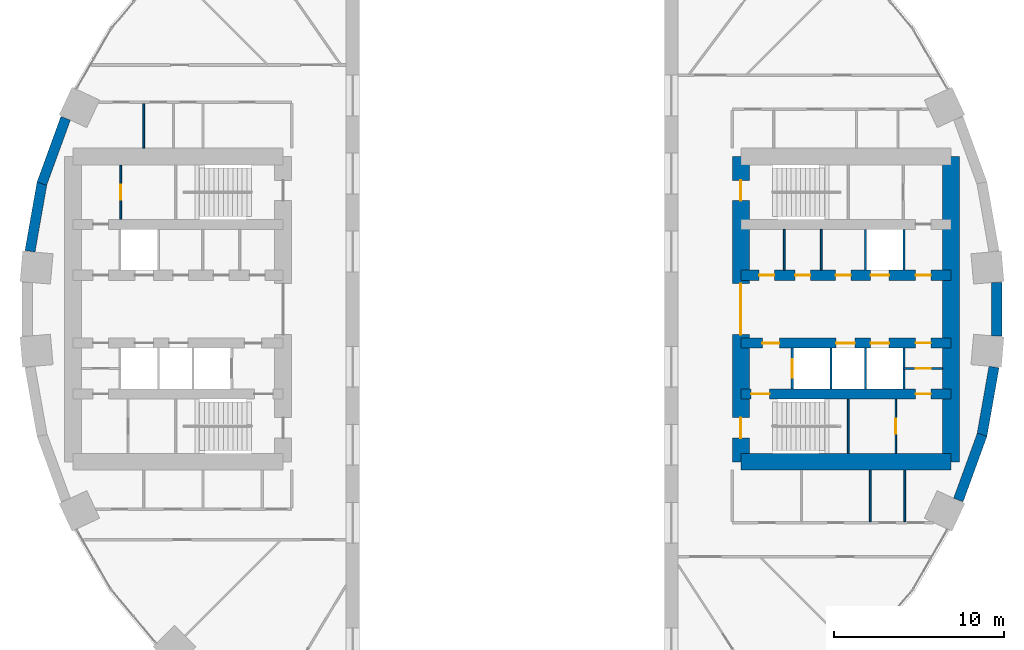
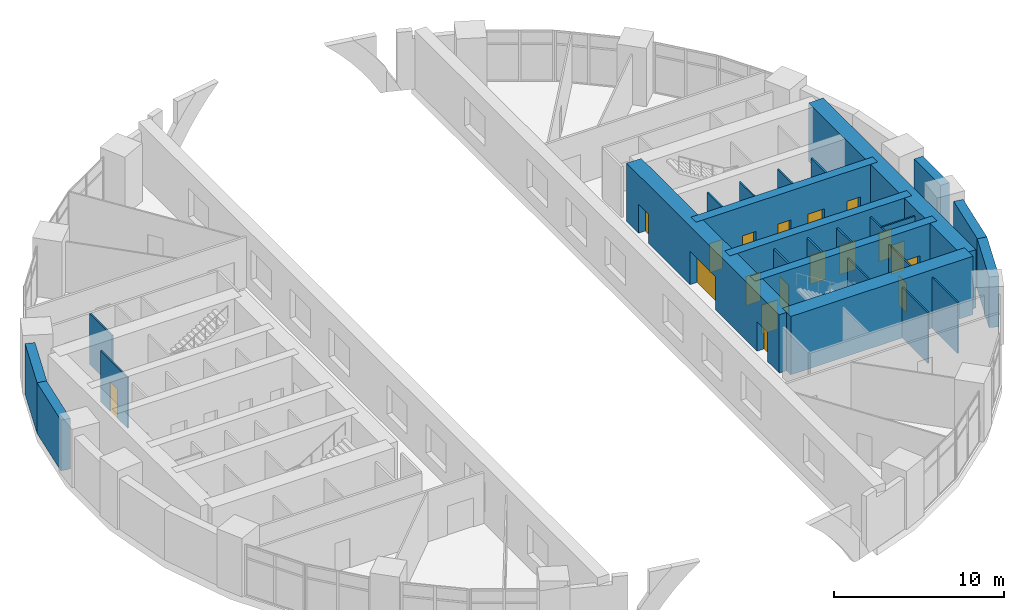
# One storey, part 10 of 13: 26 walls, 18 doors, 18 openings.
"""IFC4 building model written with IfcOpenShell, lengths in metres."""

from ifc_helpers import new_model, si_unit, direction, frame, frame_2d, origin, place, context, subcontext, project, spatial, rectangle, extrude, material, layer, layer_set, type_object, element, fill, save


model = new_model("IFC4")

# Units and contexts
model_context = context("Model", 3, precision=1e-05, world=origin(), true_north=direction((0.0, 1.0)))
body_context = subcontext(model_context, "Body", "Model", "MODEL_VIEW")
ifc_project = project(units=[si_unit("LENGTHUNIT", "METRE"), si_unit("AREAUNIT", "SQUARE_METRE"), si_unit("VOLUMEUNIT", "CUBIC_METRE"), si_unit("PLANEANGLEUNIT", "RADIAN"), si_unit("MASSUNIT", "GRAM", prefix="KILO")], contexts=[model_context])

# Site, building, storey
site_placement = place(None, origin())
site = spatial("IfcSite", under=ifc_project, at=site_placement, CompositionType="ELEMENT")
building_placement = place(site_placement, origin())
building = spatial("IfcBuilding", under=site, at=building_placement, Name="Saqina Gate Tower", CompositionType="ELEMENT")
storey_placement = place(building_placement, frame((0.0, 0.0, 13.39990234375)))
storey = spatial("IfcBuildingStorey", under=building, at=storey_placement, Name="L03", CompositionType="ELEMENT", Elevation=13.39990234375)

# Walls
ifc_material_1 = material(Name="Gypsum board on steel studs", Category="steel")
ifc_layer_1 = layer(ifc_material_1, 0.10009765625)
ifc_layer_set_1 = layer_set([ifc_layer_1], Name="CORE PARTITION")
wall_type_1 = type_object("IfcWallType", Name="CORE PARTITION", PredefinedType="PARTITIONING", material=ifc_layer_set_1)
for number, where, z_axis, x_axis, name in (
    (1, (16.052001953125, 2.300048828125, 0.0), (0.0, 0.0, 1.0), (0.0, 1.0, 0.0), "L03-CP-E01"),
    (2, (18.24072265625, 2.300048828125, 0.0), (0.0, 0.0, 1.0), (0.0, 1.0, 0.0), "L03-CP-E02"),
):
    element("IfcWall", number, at=place(storey_placement, frame(where, z_axis=z_axis, x_axis=x_axis)), inside=storey, type_object=wall_type_1, Name=name, PredefinedType="PARTITIONING", context=body_context, shape_type="SweptSolid", body=[
        extrude(rectangle(XDim=2.39990234375, YDim=0.10009765625, at=frame_2d((1.199951171875, 0.0))), origin(), (0.0, 0.0, 1.0), 3.650146484375),
    ])

# Wall, opening, door
wall_1_placement = place(storey_placement, frame((23.1201171875, -3.5, 0.0), z_axis=(0.0, 0.0, 1.0), x_axis=(1.0, 0.0, 0.0)))
wall_1 = element("IfcWall", 3, at=wall_1_placement, inside=storey, type_object=wall_type_1, Name="L03-CP-E09", PredefinedType="PARTITIONING", context=body_context, shape_type="SweptSolid", body=[
    extrude(rectangle(XDim=2.27978515625, YDim=0.10009765625, at=frame_2d((1.139892578125, 0.0))), origin(), (0.0, 0.0, 1.0), 3.650146484375),
])
opening_1_placement = place(wall_1_placement, frame((0.68994140625, 0.0, 0.0)))
opening_1 = element("IfcOpeningElement", 4, at=opening_1_placement, cuts=wall_1, Name="Opening L03-D98", PredefinedType="OPENING", context=body_context, shape_type="SweptSolid", body=[
    extrude(rectangle(XDim=0.89990234375, YDim=2.10009765625, at=frame_2d((0.449951171875, 1.050048828125))), frame((0.0, 0.06201171875, 0.0), z_axis=(0.0, -1.0, 0.0), x_axis=(1.0, 0.0, 0.0)), (0.0, 0.0, 1.0), 0.1240234375),
])
ifc_material_2 = material(Name="Steel-framed fire door leaf, EI 60", Category="steel")
door_type_1 = type_object("IfcDoorType", Name="SERVICE ROOM DOOR 900", OperationType="SINGLE_SWING_LEFT", PredefinedType="DOOR", material=ifc_material_2)
door_1_placement = place(opening_1_placement, frame((0.89990234375, 0.0, 0.0), z_axis=(0.0, 0.0, 1.0), x_axis=(-1.0, 0.0, 0.0)))
door_1 = element("IfcDoor", 5, at=door_1_placement, inside=storey, type_object=door_type_1, Name="L03-CD-E09", OperationType="SINGLE_SWING_LEFT", OverallHeight=2.10009765625, OverallWidth=0.89990234375, PredefinedType="DOOR", context=body_context, shape_type="SweptSolid", body=[
    extrude(rectangle(XDim=0.89990234375, YDim=2.10009765625, at=frame_2d((0.449951171875, 1.050048828125))), frame((0.0, 0.02490234375, 0.0), z_axis=(0.0, -1.0, 0.0), x_axis=(1.0, 0.0, 0.0)), (0.0, 0.0, 1.0), 0.050048828125),
])
fill(opening_1, door_1)

wall_2_placement = place(storey_placement, frame((22.639892578125, -8.5, 0.0), z_axis=(0.0, 0.0, 1.0), x_axis=(0.0, 1.0, 0.0)))
wall_2 = element("IfcWall", 6, at=wall_2_placement, inside=storey, type_object=wall_type_1, Name="L03-CP-E13", PredefinedType="PARTITIONING", context=body_context, shape_type="SweptSolid", body=[
    extrude(rectangle(XDim=3.199951171875, YDim=0.10009765625, at=frame_2d((1.60009765625, 0.0))), origin(), (0.0, 0.0, 1.0), 3.650146484375),
])
opening_2_placement = place(wall_2_placement, frame((1.14990234375, 0.0, 0.0)))
opening_2 = element("IfcOpeningElement", 7, at=opening_2_placement, cuts=wall_2, Name="Opening L03-D99", PredefinedType="OPENING", context=body_context, shape_type="SweptSolid", body=[
    extrude(rectangle(XDim=0.89990234375, YDim=2.10009765625, at=frame_2d((0.449951171875, 1.050048828125))), frame((0.0, 0.06201171875, 0.0), z_axis=(0.0, -1.0, 0.0), x_axis=(1.0, 0.0, 0.0)), (0.0, 0.0, 1.0), 0.1240234375),
])
door_2_placement = place(opening_2_placement, origin())
door_2 = element("IfcDoor", 8, at=door_2_placement, inside=storey, type_object=door_type_1, Name="L03-CD-E10", OperationType="SINGLE_SWING_LEFT", OverallHeight=2.10009765625, OverallWidth=0.89990234375, PredefinedType="DOOR", context=body_context, shape_type="SweptSolid", body=[
    extrude(rectangle(XDim=0.89990234375, YDim=2.10009765625, at=frame_2d((0.449951171875, 1.050048828125))), frame((0.0, 0.02490234375, 0.0), z_axis=(0.0, -1.0, 0.0), x_axis=(1.0, 0.0, 0.0)), (0.0, 0.0, 1.0), 0.050048828125),
])
fill(opening_2, door_2)

wall_3_placement = place(storey_placement, frame((-23.08154296875, 5.300048828125, 0.0), z_axis=(0.0, 0.0, 1.0), x_axis=(0.0, 1.0, 0.0)))
wall_3 = element("IfcWall", 9, at=wall_3_placement, inside=storey, type_object=wall_type_1, Name="L03-CP-W11", PredefinedType="PARTITIONING", context=body_context, shape_type="SweptSolid", body=[
    extrude(rectangle(XDim=3.199951171875, YDim=0.10009765625, at=frame_2d((1.60009765625, 0.0))), origin(), (0.0, 0.0, 1.0), 3.650146484375),
])
opening_3_placement = place(wall_3_placement, frame((1.14990234375, 0.0, 0.0)))
opening_3 = element("IfcOpeningElement", 10, at=opening_3_placement, cuts=wall_3, Name="Opening L03-D111", PredefinedType="OPENING", context=body_context, shape_type="SweptSolid", body=[
    extrude(rectangle(XDim=0.89990234375, YDim=2.10009765625, at=frame_2d((0.449951171875, 1.050048828125))), frame((0.0, 0.06201171875, 0.0), z_axis=(0.0, -1.0, 0.0), x_axis=(1.0, 0.0, 0.0)), (0.0, 0.0, 1.0), 0.1240234375),
])
door_3_placement = place(opening_3_placement, frame((0.89990234375, 0.0, 0.0), z_axis=(0.0, 0.0, 1.0), x_axis=(-1.0, 0.0, 0.0)))
door_3 = element("IfcDoor", 11, at=door_3_placement, inside=storey, type_object=door_type_1, Name="L03-CD-W22", OperationType="SINGLE_SWING_RIGHT", OverallHeight=2.10009765625, OverallWidth=0.89990234375, PredefinedType="DOOR", context=body_context, shape_type="SweptSolid", body=[
    extrude(rectangle(XDim=0.89990234375, YDim=2.10009765625, at=frame_2d((0.449951171875, 1.050048828125))), frame((0.0, 0.02490234375, 0.0), z_axis=(0.0, -1.0, 0.0), x_axis=(1.0, 0.0, 0.0)), (0.0, 0.0, 1.0), 0.050048828125),
])
fill(opening_3, door_3)

# Walls
ifc_material_3 = material(Name="Glazed ceramic tile", Category="ceramic")
ifc_layer_2 = layer(ifc_material_3, 0.60009765625)
ifc_layer_set_2 = layer_set([ifc_layer_2], Name="FW-TILE")
wall_type_2 = type_object("IfcWallType", Name="FW-TILE", PredefinedType="SOLIDWALL", material=ifc_layer_set_2)
for number, where, z_axis, x_axis, name in (
    (12, (-26.327880859375, 11.255126953125, 0.0), (0.0, 0.0, 1.0), (-0.342034744565, -0.939687306241, 0.0), "Facade wall L03 facet 16"),
    (13, (26.327880859375, -11.255126953125, 0.0), (0.0, 0.0, 1.0), (0.342034744565, 0.939687306241, 0.0), "Facade wall L03 facet 34"),
):
    element("IfcWall", number, at=place(storey_placement, frame(where, z_axis=z_axis, x_axis=x_axis)), inside=storey, type_object=wall_type_2, Name=name, PredefinedType="SOLIDWALL", context=body_context, shape_type="SweptSolid", body=[
        extrude(rectangle(XDim=4.099365234375, YDim=0.60009765625, at=frame_2d((2.0498046875, 0.0))), origin(), (0.0, 0.0, 1.0), 3.650146484375),
    ])
wall_4_placement = place(storey_placement, frame((28.589599609375, -1.571533203125, 0.0), z_axis=(0.0, 0.0, 1.0), x_axis=(0.0, 1.0, 0.0)))
element("IfcWall", 14, at=wall_4_placement, inside=storey, type_object=wall_type_2, Name="Facade wall L03 facet 36", PredefinedType="SOLIDWALL", context=body_context, shape_type="SweptSolid", body=[
    extrude(rectangle(XDim=3.14306640625, YDim=0.60009765625, at=frame_2d((1.571533203125, 0.0))), origin(), (0.0, 0.0, 1.0), 3.650146484375),
])
ifc_material_4 = material(Name="Glazed ceramic tile (dark blue)", Category="ceramic")
ifc_layer_3 = layer(ifc_material_4, 0.60009765625)
ifc_layer_set_3 = layer_set([ifc_layer_3], Name="FW-TILE-CB")
wall_type_3 = type_object("IfcWallType", Name="FW-TILE-CB", PredefinedType="SOLIDWALL", material=ifc_layer_set_3)
wall_5_placement = place(storey_placement, frame((27.71630859375, -7.45361328125, 0.0), z_axis=(0.0, 0.0, 1.0), x_axis=(0.173673210505, 0.984803338719, 0.0)))
element("IfcWall", 15, at=wall_5_placement, inside=storey, type_object=wall_type_3, Name="Facade wall L03 facet 35", PredefinedType="SOLIDWALL", context=body_context, shape_type="SweptSolid", body=[
    extrude(rectangle(XDim=4.09912109375, YDim=0.60009765625, at=frame_2d((2.049560546875, 0.0))), origin(), (0.0, 0.0, 1.0), 3.650146484375),
])
ifc_material_5 = material(Name="Glazed ceramic tile (white)", Category="ceramic")
ifc_layer_4 = layer(ifc_material_5, 0.60009765625)
ifc_layer_set_4 = layer_set([ifc_layer_4], Name="FW-TILE-WH")
wall_type_4 = type_object("IfcWallType", Name="FW-TILE-WH", PredefinedType="SOLIDWALL", material=ifc_layer_set_4)
wall_6_placement = place(storey_placement, frame((-27.71630859375, 7.45361328125, 0.0), z_axis=(0.0, 0.0, 1.0), x_axis=(-0.173673210505, -0.984803338719, 0.0)))
element("IfcWall", 16, at=wall_6_placement, inside=storey, type_object=wall_type_4, Name="Facade wall L03 facet 17", PredefinedType="SOLIDWALL", context=body_context, shape_type="SweptSolid", body=[
    extrude(rectangle(XDim=4.09912109375, YDim=0.60009765625, at=frame_2d((2.049560546875, 0.0))), origin(), (0.0, 0.0, 1.0), 3.650146484375),
])
ifc_material_6 = material(Name="Autoclaved aerated concrete block", Category="concrete")
ifc_layer_5 = layer(ifc_material_6, 0.1201171875)
ifc_layer_set_5 = layer_set([ifc_layer_5], Name="SHAFT PARTITION")
wall_type_5 = type_object("IfcWallType", Name="SHAFT PARTITION", PredefinedType="PARTITIONING", material=ifc_layer_set_5)
for number, where, z_axis, x_axis, name in (
    (17, (20.840087890625, 2.300048828125, 0.0), (0.0, 0.0, 1.0), (0.0, 1.0, 0.0), "L03-CP-E03"),
    (18, (23.1201171875, 2.300048828125, 0.0), (0.0, 0.0, 1.0), (0.0, 1.0, 0.0), "L03-CP-E04"),
):
    element("IfcWall", number, at=place(storey_placement, frame(where, z_axis=z_axis, x_axis=x_axis)), inside=storey, type_object=wall_type_5, Name=name, PredefinedType="PARTITIONING", context=body_context, shape_type="SweptSolid", body=[
        extrude(rectangle(XDim=2.39990234375, YDim=0.1201171875, at=frame_2d((1.199951171875, 0.0))), origin(), (0.0, 0.0, 1.0), 3.650146484375),
    ])

# Wall, opening, door
wall_7_placement = place(storey_placement, frame((16.530029296875, -4.699951171875, 0.0), z_axis=(0.0, 0.0, 1.0), x_axis=(0.0, 1.0, 0.0)))
wall_7 = element("IfcWall", 19, at=wall_7_placement, inside=storey, type_object=wall_type_5, Name="L03-CP-E05", PredefinedType="PARTITIONING", context=body_context, shape_type="SweptSolid", body=[
    extrude(rectangle(XDim=2.39990234375, YDim=0.1201171875, at=frame_2d((1.199951171875, 0.0))), origin(), (0.0, 0.0, 1.0), 3.650146484375),
])
opening_4_placement = place(wall_7_placement, frame((0.64990234375, 0.0, 0.0)))
opening_4 = element("IfcOpeningElement", 20, at=opening_4_placement, cuts=wall_7, Name="Opening L03-LD2", PredefinedType="OPENING", context=body_context, shape_type="SweptSolid", body=[
    extrude(rectangle(XDim=1.10009765625, YDim=2.10009765625, at=frame_2d((0.550048828125, 1.050048828125))), frame((0.0, 0.072021484375, 0.0), z_axis=(0.0, -1.0, 0.0), x_axis=(1.0, 0.0, 0.0)), (0.0, 0.0, 1.0), 0.14404296875),
])
ifc_material_7 = material(Name="Stainless steel", Category="steel")
door_type_2 = type_object("IfcDoorType", Name="LANDING DOOR", OperationType="DOUBLE_DOOR_SLIDING", PredefinedType="DOOR", material=ifc_material_7)
door_4_placement = place(opening_4_placement, origin())
door_4 = element("IfcDoor", 21, at=door_4_placement, inside=storey, type_object=door_type_2, Name="LANDING DOOR FF1", OperationType="DOUBLE_DOOR_SLIDING", OverallHeight=2.10009765625, OverallWidth=1.10009765625, PredefinedType="DOOR", context=body_context, shape_type="SweptSolid", body=[
    extrude(rectangle(XDim=1.10009765625, YDim=2.10009765625, at=frame_2d((0.550048828125, 1.050048828125))), frame((0.0, 0.02490234375, 0.0), z_axis=(0.0, -1.0, 0.0), x_axis=(1.0, 0.0, 0.0)), (0.0, 0.0, 1.0), 0.050048828125),
])
fill(opening_4, door_4)

# Walls
for number, where, z_axis, x_axis, name in (
    (22, (18.81005859375, -4.699951171875, 0.0), (0.0, 0.0, 1.0), (0.0, 1.0, 0.0), "L03-CP-E06"),
    (23, (20.840087890625, -4.699951171875, 0.0), (0.0, 0.0, 1.0), (0.0, 1.0, 0.0), "L03-CP-E07"),
    (24, (23.1201171875, -4.699951171875, 0.0), (0.0, 0.0, 1.0), (0.0, 1.0, 0.0), "L03-CP-E08"),
):
    element("IfcWall", number, at=place(storey_placement, frame(where, z_axis=z_axis, x_axis=x_axis)), inside=storey, type_object=wall_type_5, Name=name, PredefinedType="PARTITIONING", context=body_context, shape_type="SweptSolid", body=[
        extrude(rectangle(XDim=2.39990234375, YDim=0.1201171875, at=frame_2d((1.199951171875, 0.0))), origin(), (0.0, 0.0, 1.0), 3.650146484375),
    ])
ifc_material_8 = material(Name="Gypsum board on steel studs, 100 mm", Category="steel")
ifc_layer_6 = layer(ifc_material_8, 0.10009765625)
ifc_layer_set_6 = layer_set([ifc_layer_6], Name="SPECIAL PARTITION 100")
wall_type_6 = type_object("IfcWallType", Name="SPECIAL PARTITION 100", PredefinedType="PARTITIONING", material=ifc_layer_set_6)
for number, where, z_axis, x_axis, name in (
    (25, (23.1669921875, -12.52490234375, 0.0), (0.0, 0.0, 1.0), (0.0, 1.0, 0.0), "PARTITION 017"),
    (26, (21.133056640625, -12.52490234375, 0.0), (0.0, 0.0, 1.0), (0.0, 1.0, 0.0), "PARTITION 019"),
):
    element("IfcWall", number, at=place(storey_placement, frame(where, z_axis=z_axis, x_axis=x_axis)), inside=storey, type_object=wall_type_6, Name=name, PredefinedType="PARTITIONING", context=body_context, shape_type="SweptSolid", body=[
        extrude(rectangle(XDim=3.02490234375, YDim=0.10009765625, at=frame_2d((1.512451171875, 0.0))), origin(), (0.0, 0.0, 1.0), 3.650146484375),
    ])
wall_8_placement = place(storey_placement, frame((-21.714111328125, 9.5, 0.0), z_axis=(0.0, 0.0, 1.0), x_axis=(0.0, 1.0, 0.0)))
element("IfcWall", 27, at=wall_8_placement, inside=storey, type_object=wall_type_6, Name="PARTITION 032", PredefinedType="PARTITIONING", context=body_context, shape_type="SweptSolid", body=[
    extrude(rectangle(XDim=2.625, YDim=0.10009765625, at=frame_2d((1.3125, 0.0))), origin(), (0.0, 0.0, 1.0), 3.650146484375),
])
ifc_material_9 = material(Name="Autoclaved aerated concrete block", Category="concrete")
ifc_layer_7 = layer(ifc_material_9, 0.10009765625)
ifc_layer_set_7 = layer_set([ifc_layer_7], Name="STAIR ENCLOSURE WALL")
wall_type_7 = type_object("IfcWallType", Name="STAIR ENCLOSURE WALL", PredefinedType="PARTITIONING", material=ifc_layer_set_7)
wall_9_placement = place(storey_placement, frame((19.830078125, -8.5, 0.0), z_axis=(0.0, 0.0, 1.0), x_axis=(0.0, 1.0, 0.0)))
element("IfcWall", 28, at=wall_9_placement, inside=storey, type_object=wall_type_7, Name="L03-CP-E12", PredefinedType="PARTITIONING", context=body_context, shape_type="SweptSolid", body=[
    extrude(rectangle(XDim=3.199951171875, YDim=0.10009765625, at=frame_2d((1.60009765625, 0.0))), origin(), (0.0, 0.0, 1.0), 3.650146484375),
])

# Wall, openings, doors
ifc_material_10 = material(Name="Concrete C70/85", Category="concrete")
ifc_layer_8 = layer(ifc_material_10, 0.60009765625)
ifc_layer_set_8 = layer_set([ifc_layer_8], Name="Concrete C70/85")
wall_type_8 = type_object("IfcWallType", Name="STR-CORE WALL-P-I", PredefinedType="SHEAR", material=ifc_layer_set_8)
wall_10_placement = place(storey_placement, frame((13.5, -5.0, 0.0), z_axis=(0.0, 0.0, 1.0), x_axis=(1.0, 0.0, 0.0)))
wall_10 = element("IfcWall", 29, at=wall_10_placement, inside=storey, type_object=wall_type_8, Name="CORE WALL L03 E-X2", PredefinedType="SHEAR", context=body_context, shape_type="SweptSolid", body=[
    extrude(rectangle(XDim=12.39990234375, YDim=0.60009765625, at=frame_2d((6.199951171875, 0.0))), origin(), (0.0, 0.0, 1.0), 4.2001953125),
])
opening_5_placement = place(wall_10_placement, frame((10.31005859375, 0.0, 0.0)))
opening_5 = element("IfcOpeningElement", 30, at=opening_5_placement, cuts=wall_10, Name="Opening L03-D100", PredefinedType="OPENING", context=body_context, shape_type="SweptSolid", body=[
    extrude(rectangle(XDim=0.89990234375, YDim=2.10009765625, at=frame_2d((0.449951171875, 1.050048828125))), frame((0.0, 0.31201171875, 0.0), z_axis=(0.0, -1.0, 0.0), x_axis=(1.0, 0.0, 0.0)), (0.0, 0.0, 1.0), 0.6240234375),
])
opening_6_placement = place(wall_10_placement, frame((0.60009765625, 0.0, 0.0)))
opening_6 = element("IfcOpeningElement", 31, at=opening_6_placement, cuts=wall_10, Name="Opening L03-D101", PredefinedType="OPENING", context=body_context, shape_type="SweptSolid", body=[
    extrude(rectangle(XDim=1.10009765625, YDim=2.10009765625, at=frame_2d((0.550048828125, 1.050048828125))), frame((0.0, 0.31201171875, 0.0), z_axis=(0.0, -1.0, 0.0), x_axis=(1.0, 0.0, 0.0)), (0.0, 0.0, 1.0), 0.6240234375),
])
ifc_material_11 = material(Name="Steel", Category="steel")
door_type_3 = type_object("IfcDoorType", Name="FIRE LOBBY DOOR EI 60 WIDE", OperationType="SINGLE_SWING_LEFT", PredefinedType="DOOR", material=ifc_material_11)
door_5_placement = place(opening_6_placement, frame((1.10009765625, 0.0, 0.0), z_axis=(0.0, 0.0, 1.0), x_axis=(-1.0, 0.0, 0.0)))
door_5 = element("IfcDoor", 32, at=door_5_placement, inside=storey, type_object=door_type_3, Name="L03-CD-E12", OperationType="SINGLE_SWING_RIGHT", OverallHeight=2.10009765625, OverallWidth=1.10009765625, PredefinedType="DOOR", context=body_context, shape_type="SweptSolid", body=[
    extrude(rectangle(XDim=1.10009765625, YDim=2.10009765625, at=frame_2d((0.550048828125, 1.050048828125))), frame((0.0, 0.02490234375, 0.0), z_axis=(0.0, -1.0, 0.0), x_axis=(1.0, 0.0, 0.0)), (0.0, 0.0, 1.0), 0.050048828125),
])
fill(opening_6, door_5)
door_6_placement = place(opening_5_placement, frame((0.89990234375, 0.0, 0.0), z_axis=(0.0, 0.0, 1.0), x_axis=(-1.0, 0.0, 0.0)))
door_6 = element("IfcDoor", 33, at=door_6_placement, inside=storey, type_object=door_type_1, Name="L03-CD-E11", OperationType="SINGLE_SWING_LEFT", OverallHeight=2.10009765625, OverallWidth=0.89990234375, PredefinedType="DOOR", context=body_context, shape_type="SweptSolid", body=[
    extrude(rectangle(XDim=0.89990234375, YDim=2.10009765625, at=frame_2d((0.449951171875, 1.050048828125))), frame((0.0, 0.02490234375, 0.0), z_axis=(0.0, -1.0, 0.0), x_axis=(1.0, 0.0, 0.0)), (0.0, 0.0, 1.0), 0.050048828125),
])
fill(opening_5, door_6)

wall_11_placement = place(storey_placement, frame((13.5, 2.0, 0.0), z_axis=(0.0, 0.0, 1.0), x_axis=(1.0, 0.0, 0.0)))
wall_11 = element("IfcWall", 34, at=wall_11_placement, inside=storey, type_object=wall_type_8, Name="CORE WALL L03 E-L1", PredefinedType="SHEAR", context=body_context, shape_type="SweptSolid", body=[
    extrude(rectangle(XDim=12.39990234375, YDim=0.60009765625, at=frame_2d((6.199951171875, 0.0))), origin(), (0.0, 0.0, 1.0), 4.2001953125),
])
opening_7_placement = place(wall_11_placement, frame((7.64990234375, 0.0, 0.0)))
opening_7 = element("IfcOpeningElement", 35, at=opening_7_placement, cuts=wall_11, Name="Opening L03-LD1", PredefinedType="OPENING", context=body_context, shape_type="SweptSolid", body=[
    extrude(rectangle(XDim=1.10009765625, YDim=2.10009765625, at=frame_2d((0.550048828125, 1.050048828125))), frame((0.0, 0.31201171875, 0.0), z_axis=(0.0, -1.0, 0.0), x_axis=(1.0, 0.0, 0.0)), (0.0, 0.0, 1.0), 0.6240234375),
])
opening_8_placement = place(wall_11_placement, frame((1.075927734375, 0.0, 0.0)))
opening_8 = element("IfcOpeningElement", 36, at=opening_8_placement, cuts=wall_11, Name="Opening L03-D90", PredefinedType="OPENING", context=body_context, shape_type="SweptSolid", body=[
    extrude(rectangle(XDim=0.89990234375, YDim=2.10009765625, at=frame_2d((0.449951171875, 1.050048828125))), frame((0.0, 0.31201171875, 0.0), z_axis=(0.0, -1.0, 0.0), x_axis=(1.0, 0.0, 0.0)), (0.0, 0.0, 1.0), 0.6240234375),
])
opening_9_placement = place(wall_11_placement, frame((3.1962890625, 0.0, 0.0)))
opening_9 = element("IfcOpeningElement", 37, at=opening_9_placement, cuts=wall_11, Name="Opening L03-D91", PredefinedType="OPENING", context=body_context, shape_type="SweptSolid", body=[
    extrude(rectangle(XDim=0.89990234375, YDim=2.10009765625, at=frame_2d((0.449951171875, 1.050048828125))), frame((0.0, 0.31201171875, 0.0), z_axis=(0.0, -1.0, 0.0), x_axis=(1.0, 0.0, 0.0)), (0.0, 0.0, 1.0), 0.6240234375),
])
opening_10_placement = place(wall_11_placement, frame((5.59033203125, 0.0, 0.0)))
opening_10 = element("IfcOpeningElement", 38, at=opening_10_placement, cuts=wall_11, Name="Opening L03-D92", PredefinedType="OPENING", context=body_context, shape_type="SweptSolid", body=[
    extrude(rectangle(XDim=0.89990234375, YDim=2.10009765625, at=frame_2d((0.449951171875, 1.050048828125))), frame((0.0, 0.31201171875, 0.0), z_axis=(0.0, -1.0, 0.0), x_axis=(1.0, 0.0, 0.0)), (0.0, 0.0, 1.0), 0.6240234375),
])
opening_11_placement = place(wall_11_placement, frame((10.31005859375, 0.0, 0.0)))
opening_11 = element("IfcOpeningElement", 39, at=opening_11_placement, cuts=wall_11, Name="Opening L03-D93", PredefinedType="OPENING", context=body_context, shape_type="SweptSolid", body=[
    extrude(rectangle(XDim=0.89990234375, YDim=2.10009765625, at=frame_2d((0.449951171875, 1.050048828125))), frame((0.0, 0.31201171875, 0.0), z_axis=(0.0, -1.0, 0.0), x_axis=(1.0, 0.0, 0.0)), (0.0, 0.0, 1.0), 0.6240234375),
])
door_7_placement = place(opening_7_placement, origin())
door_7 = element("IfcDoor", 40, at=door_7_placement, inside=storey, type_object=door_type_2, Name="LANDING DOOR LR1", OperationType="DOUBLE_DOOR_SLIDING", OverallHeight=2.10009765625, OverallWidth=1.10009765625, PredefinedType="DOOR", context=body_context, shape_type="SweptSolid", body=[
    extrude(rectangle(XDim=1.10009765625, YDim=2.10009765625, at=frame_2d((0.550048828125, 1.050048828125))), frame((0.0, 0.02490234375, 0.0), z_axis=(0.0, -1.0, 0.0), x_axis=(1.0, 0.0, 0.0)), (0.0, 0.0, 1.0), 0.050048828125),
])
fill(opening_7, door_7)
door_8_placement = place(opening_8_placement, origin())
door_8 = element("IfcDoor", 41, at=door_8_placement, inside=storey, type_object=door_type_1, Name="L03-CD-E01", OperationType="SINGLE_SWING_RIGHT", OverallHeight=2.10009765625, OverallWidth=0.89990234375, PredefinedType="DOOR", context=body_context, shape_type="SweptSolid", body=[
    extrude(rectangle(XDim=0.89990234375, YDim=2.10009765625, at=frame_2d((0.449951171875, 1.050048828125))), frame((0.0, 0.02490234375, 0.0), z_axis=(0.0, -1.0, 0.0), x_axis=(1.0, 0.0, 0.0)), (0.0, 0.0, 1.0), 0.050048828125),
])
fill(opening_8, door_8)
door_9_placement = place(opening_9_placement, origin())
door_9 = element("IfcDoor", 42, at=door_9_placement, inside=storey, type_object=door_type_1, Name="L03-CD-E02", OperationType="SINGLE_SWING_LEFT", OverallHeight=2.10009765625, OverallWidth=0.89990234375, PredefinedType="DOOR", context=body_context, shape_type="SweptSolid", body=[
    extrude(rectangle(XDim=0.89990234375, YDim=2.10009765625, at=frame_2d((0.449951171875, 1.050048828125))), frame((0.0, 0.02490234375, 0.0), z_axis=(0.0, -1.0, 0.0), x_axis=(1.0, 0.0, 0.0)), (0.0, 0.0, 1.0), 0.050048828125),
])
fill(opening_9, door_9)
door_10_placement = place(opening_10_placement, origin())
door_10 = element("IfcDoor", 43, at=door_10_placement, inside=storey, type_object=door_type_1, Name="L03-CD-E03", OperationType="SINGLE_SWING_LEFT", OverallHeight=2.10009765625, OverallWidth=0.89990234375, PredefinedType="DOOR", context=body_context, shape_type="SweptSolid", body=[
    extrude(rectangle(XDim=0.89990234375, YDim=2.10009765625, at=frame_2d((0.449951171875, 1.050048828125))), frame((0.0, 0.02490234375, 0.0), z_axis=(0.0, -1.0, 0.0), x_axis=(1.0, 0.0, 0.0)), (0.0, 0.0, 1.0), 0.050048828125),
])
fill(opening_10, door_10)
door_11_placement = place(opening_11_placement, origin())
door_11 = element("IfcDoor", 44, at=door_11_placement, inside=storey, type_object=door_type_1, Name="L03-CD-E04", OperationType="SINGLE_SWING_RIGHT", OverallHeight=2.10009765625, OverallWidth=0.89990234375, PredefinedType="DOOR", context=body_context, shape_type="SweptSolid", body=[
    extrude(rectangle(XDim=0.89990234375, YDim=2.10009765625, at=frame_2d((0.449951171875, 1.050048828125))), frame((0.0, 0.02490234375, 0.0), z_axis=(0.0, -1.0, 0.0), x_axis=(1.0, 0.0, 0.0)), (0.0, 0.0, 1.0), 0.050048828125),
])
fill(opening_11, door_11)

wall_12_placement = place(storey_placement, frame((13.5, -2.0, 0.0), z_axis=(0.0, 0.0, 1.0), x_axis=(1.0, 0.0, 0.0)))
wall_12 = element("IfcWall", 45, at=wall_12_placement, inside=storey, type_object=wall_type_8, Name="CORE WALL L03 E-L2", PredefinedType="SHEAR", context=body_context, shape_type="SweptSolid", body=[
    extrude(rectangle(XDim=12.39990234375, YDim=0.60009765625, at=frame_2d((6.199951171875, 0.0))), origin(), (0.0, 0.0, 1.0), 4.2001953125),
])
opening_12_placement = place(wall_12_placement, frame((5.6201171875, 0.0, 0.0)))
opening_12 = element("IfcOpeningElement", 46, at=opening_12_placement, cuts=wall_12, Name="Opening L03-LD3", PredefinedType="OPENING", context=body_context, shape_type="SweptSolid", body=[
    extrude(rectangle(XDim=1.10009765625, YDim=2.10009765625, at=frame_2d((0.550048828125, 1.050048828125))), frame((0.0, 0.31201171875, 0.0), z_axis=(0.0, -1.0, 0.0), x_axis=(1.0, 0.0, 0.0)), (0.0, 0.0, 1.0), 0.6240234375),
])
opening_13_placement = place(wall_12_placement, frame((7.64990234375, 0.0, 0.0)))
opening_13 = element("IfcOpeningElement", 47, at=opening_13_placement, cuts=wall_12, Name="Opening L03-LD4", PredefinedType="OPENING", context=body_context, shape_type="SweptSolid", body=[
    extrude(rectangle(XDim=1.10009765625, YDim=2.10009765625, at=frame_2d((0.550048828125, 1.050048828125))), frame((0.0, 0.31201171875, 0.0), z_axis=(0.0, -1.0, 0.0), x_axis=(1.0, 0.0, 0.0)), (0.0, 0.0, 1.0), 0.6240234375),
])
opening_14_placement = place(wall_12_placement, frame((1.264892578125, 0.0, 0.0)))
opening_14 = element("IfcOpeningElement", 48, at=opening_14_placement, cuts=wall_12, Name="Opening L03-D94", PredefinedType="OPENING", context=body_context, shape_type="SweptSolid", body=[
    extrude(rectangle(XDim=1.0, YDim=2.10009765625, at=frame_2d((0.5, 1.050048828125))), frame((0.0, 0.31201171875, 0.0), z_axis=(0.0, -1.0, 0.0), x_axis=(1.0, 0.0, 0.0)), (0.0, 0.0, 1.0), 0.6240234375),
])
opening_15_placement = place(wall_12_placement, frame((10.31005859375, 0.0, 0.0)))
opening_15 = element("IfcOpeningElement", 49, at=opening_15_placement, cuts=wall_12, Name="Opening L03-D95", PredefinedType="OPENING", context=body_context, shape_type="SweptSolid", body=[
    extrude(rectangle(XDim=0.89990234375, YDim=2.10009765625, at=frame_2d((0.449951171875, 1.050048828125))), frame((0.0, 0.31201171875, 0.0), z_axis=(0.0, -1.0, 0.0), x_axis=(1.0, 0.0, 0.0)), (0.0, 0.0, 1.0), 0.6240234375),
])
ifc_material_12 = material(Name="Steel", Category="steel")
door_type_4 = type_object("IfcDoorType", Name="FIRE LOBBY DOOR EI 60", OperationType="SINGLE_SWING_LEFT", PredefinedType="DOOR", material=ifc_material_12)
door_12_placement = place(opening_14_placement, origin())
door_12 = element("IfcDoor", 50, at=door_12_placement, inside=storey, type_object=door_type_4, Name="L03-CD-E05", OperationType="SINGLE_SWING_LEFT", OverallHeight=2.10009765625, OverallWidth=1.0, PredefinedType="DOOR", context=body_context, shape_type="SweptSolid", body=[
    extrude(rectangle(XDim=1.0, YDim=2.10009765625, at=frame_2d((0.5, 1.050048828125))), frame((0.0, 0.02490234375, 0.0), z_axis=(0.0, -1.0, 0.0), x_axis=(1.0, 0.0, 0.0)), (0.0, 0.0, 1.0), 0.050048828125),
])
fill(opening_14, door_12)
door_13_placement = place(opening_12_placement, origin())
door_13 = element("IfcDoor", 51, at=door_13_placement, inside=storey, type_object=door_type_2, Name="LANDING DOOR LR3", OperationType="DOUBLE_DOOR_SLIDING", OverallHeight=2.10009765625, OverallWidth=1.10009765625, PredefinedType="DOOR", context=body_context, shape_type="SweptSolid", body=[
    extrude(rectangle(XDim=1.10009765625, YDim=2.10009765625, at=frame_2d((0.550048828125, 1.050048828125))), frame((0.0, 0.02490234375, 0.0), z_axis=(0.0, -1.0, 0.0), x_axis=(1.0, 0.0, 0.0)), (0.0, 0.0, 1.0), 0.050048828125),
])
fill(opening_12, door_13)
door_14_placement = place(opening_13_placement, origin())
door_14 = element("IfcDoor", 52, at=door_14_placement, inside=storey, type_object=door_type_2, Name="LANDING DOOR LR2", OperationType="DOUBLE_DOOR_SLIDING", OverallHeight=2.10009765625, OverallWidth=1.10009765625, PredefinedType="DOOR", context=body_context, shape_type="SweptSolid", body=[
    extrude(rectangle(XDim=1.10009765625, YDim=2.10009765625, at=frame_2d((0.550048828125, 1.050048828125))), frame((0.0, 0.02490234375, 0.0), z_axis=(0.0, -1.0, 0.0), x_axis=(1.0, 0.0, 0.0)), (0.0, 0.0, 1.0), 0.050048828125),
])
fill(opening_13, door_14)
door_15_placement = place(opening_15_placement, frame((0.89990234375, 0.0, 0.0), z_axis=(0.0, 0.0, 1.0), x_axis=(-1.0, 0.0, 0.0)))
door_15 = element("IfcDoor", 53, at=door_15_placement, inside=storey, type_object=door_type_1, Name="L03-CD-E06", OperationType="SINGLE_SWING_LEFT", OverallHeight=2.10009765625, OverallWidth=0.89990234375, PredefinedType="DOOR", context=body_context, shape_type="SweptSolid", body=[
    extrude(rectangle(XDim=0.89990234375, YDim=2.10009765625, at=frame_2d((0.449951171875, 1.050048828125))), frame((0.0, 0.02490234375, 0.0), z_axis=(0.0, -1.0, 0.0), x_axis=(1.0, 0.0, 0.0)), (0.0, 0.0, 1.0), 0.050048828125),
])
fill(opening_15, door_15)

ifc_material_13 = material(Name="Concrete C70/85", Category="concrete")
ifc_layer_9 = layer(ifc_material_13, 1.0)
ifc_layer_set_9 = layer_set([ifc_layer_9], Name="Concrete C70/85")
wall_type_9 = type_object("IfcWallType", Name="STR-CORE WALL-P-O", PredefinedType="SHEAR", material=ifc_layer_set_9)
wall_13_placement = place(storey_placement, frame((13.5, -9.0, 0.0), z_axis=(0.0, 0.0, 1.0), x_axis=(0.0, 1.0, 0.0)))
wall_13 = element("IfcWall", 54, at=wall_13_placement, inside=storey, type_object=wall_type_9, Name="CORE WALL L03 E-W1", PredefinedType="SHEAR", context=body_context, shape_type="SweptSolid", body=[
    extrude(rectangle(XDim=18.0, YDim=1.0, at=frame_2d((9.0, 0.0))), origin(), (0.0, 0.0, 1.0), 4.2001953125),
])
opening_16_placement = place(wall_13_placement, frame((15.39990234375, 0.0, 0.0)))
opening_16 = element("IfcOpeningElement", 55, at=opening_16_placement, cuts=wall_13, Name="Opening L03-D102", PredefinedType="OPENING", context=body_context, shape_type="SweptSolid", body=[
    extrude(rectangle(XDim=1.199951171875, YDim=2.10009765625, at=frame_2d((0.60009765625, 1.050048828125))), frame((0.0, 0.511962890625, 0.0), z_axis=(0.0, -1.0, 0.0), x_axis=(1.0, 0.0, 0.0)), (0.0, 0.0, 1.0), 1.02392578125),
])
opening_17_placement = place(wall_13_placement, frame((1.39990234375, 0.0, 0.0)))
opening_17 = element("IfcOpeningElement", 56, at=opening_17_placement, cuts=wall_13, Name="Opening L03-D103", PredefinedType="OPENING", context=body_context, shape_type="SweptSolid", body=[
    extrude(rectangle(XDim=1.199951171875, YDim=2.10009765625, at=frame_2d((0.60009765625, 1.050048828125))), frame((0.0, 0.511962890625, 0.0), z_axis=(0.0, -1.0, 0.0), x_axis=(1.0, 0.0, 0.0)), (0.0, 0.0, 1.0), 1.02392578125),
])
opening_18_placement = place(wall_13_placement, frame((7.5, 0.0, 0.0)))
opening_18 = element("IfcOpeningElement", 57, at=opening_18_placement, cuts=wall_13, Name="Opening L03-D104", PredefinedType="OPENING", context=body_context, shape_type="SweptSolid", body=[
    extrude(rectangle(XDim=3.0, YDim=2.39990234375, at=frame_2d((1.5, 1.199951171875))), frame((0.0, 0.511962890625, 0.0), z_axis=(0.0, -1.0, 0.0), x_axis=(1.0, 0.0, 0.0)), (0.0, 0.0, 1.0), 1.02392578125),
])
ifc_material_14 = material(Name="Steel", Category="steel")
door_type_5 = type_object("IfcDoorType", Name="FIRE DOOR EI 60", OperationType="SINGLE_SWING_LEFT", PredefinedType="DOOR", material=ifc_material_14)
door_16_placement = place(opening_16_placement, frame((1.199951171875, 0.0, 0.0), z_axis=(0.0, 0.0, 1.0), x_axis=(-1.0, 0.0, 0.0)))
door_16 = element("IfcDoor", 58, at=door_16_placement, inside=storey, type_object=door_type_5, Name="L03-CD-E13", OperationType="SINGLE_SWING_LEFT", OverallHeight=2.10009765625, OverallWidth=1.199951171875, PredefinedType="DOOR", context=body_context, shape_type="SweptSolid", body=[
    extrude(rectangle(XDim=1.199951171875, YDim=2.10009765625, at=frame_2d((0.60009765625, 1.050048828125))), frame((0.0, 0.02490234375, 0.0), z_axis=(0.0, -1.0, 0.0), x_axis=(1.0, 0.0, 0.0)), (0.0, 0.0, 1.0), 0.050048828125),
])
fill(opening_16, door_16)
door_17_placement = place(opening_17_placement, frame((1.199951171875, 0.0, 0.0), z_axis=(0.0, 0.0, 1.0), x_axis=(-1.0, 0.0, 0.0)))
door_17 = element("IfcDoor", 59, at=door_17_placement, inside=storey, type_object=door_type_5, Name="L03-CD-E14", OperationType="SINGLE_SWING_RIGHT", OverallHeight=2.10009765625, OverallWidth=1.199951171875, PredefinedType="DOOR", context=body_context, shape_type="SweptSolid", body=[
    extrude(rectangle(XDim=1.199951171875, YDim=2.10009765625, at=frame_2d((0.60009765625, 1.050048828125))), frame((0.0, 0.02490234375, 0.0), z_axis=(0.0, -1.0, 0.0), x_axis=(1.0, 0.0, 0.0)), (0.0, 0.0, 1.0), 0.050048828125),
])
fill(opening_17, door_17)
ifc_material_15 = material(Name="Steel and fire-resisting glass", Category="steel")
door_type_6 = type_object("IfcDoorType", Name="LOBBY SCREEN DOOR", OperationType="DOUBLE_DOOR_SLIDING", PredefinedType="DOOR", material=ifc_material_15)
door_18_placement = place(opening_18_placement, origin())
door_18 = element("IfcDoor", 60, at=door_18_placement, inside=storey, type_object=door_type_6, Name="L03-CD-E15", OperationType="DOUBLE_DOOR_SLIDING", OverallHeight=2.39990234375, OverallWidth=3.0, PredefinedType="DOOR", context=body_context, shape_type="SweptSolid", body=[
    extrude(rectangle(XDim=3.0, YDim=2.39990234375, at=frame_2d((1.5, 1.199951171875))), frame((0.0, 0.02490234375, 0.0), z_axis=(0.0, -1.0, 0.0), x_axis=(1.0, 0.0, 0.0)), (0.0, 0.0, 1.0), 0.050048828125),
])
fill(opening_18, door_18)

# Walls
wall_14_placement = place(storey_placement, frame((25.89990234375, -9.0, 0.0), z_axis=(0.0, 0.0, 1.0), x_axis=(0.0, 1.0, 0.0)))
element("IfcWall", 61, at=wall_14_placement, inside=storey, type_object=wall_type_9, Name="CORE WALL L03 E-W2", PredefinedType="SHEAR", context=body_context, shape_type="SweptSolid", body=[
    extrude(rectangle(XDim=18.0, YDim=1.0, at=frame_2d((9.0, 0.0))), origin(), (0.0, 0.0, 1.0), 4.2001953125),
])
wall_15_placement = place(storey_placement, frame((13.5, -9.0, 0.0), z_axis=(0.0, 0.0, 1.0), x_axis=(1.0, 0.0, 0.0)))
element("IfcWall", 62, at=wall_15_placement, inside=storey, type_object=wall_type_9, Name="CORE WALL L03 E-SE", PredefinedType="SHEAR", context=body_context, shape_type="SweptSolid", body=[
    extrude(rectangle(XDim=12.39990234375, YDim=1.0, at=frame_2d((6.199951171875, 0.0))), origin(), (0.0, 0.0, 1.0), 4.2001953125),
])

save(model, "model.ifc")
